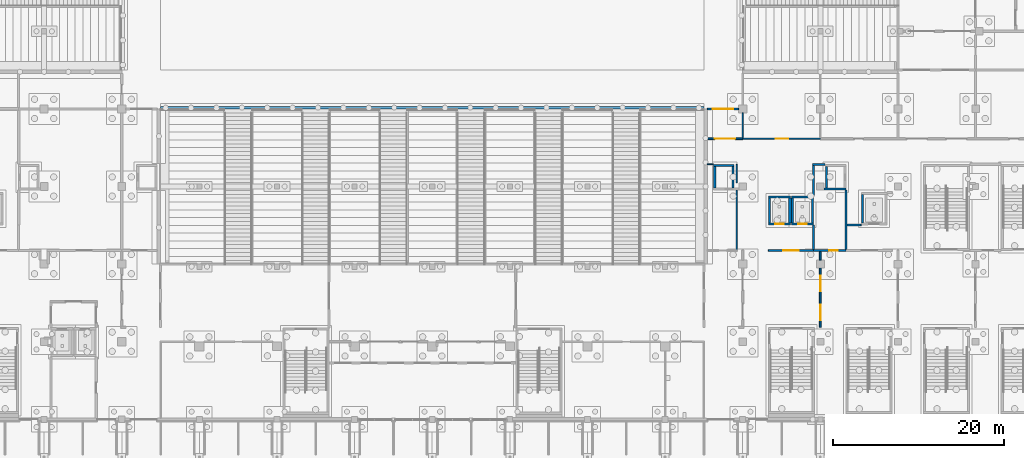
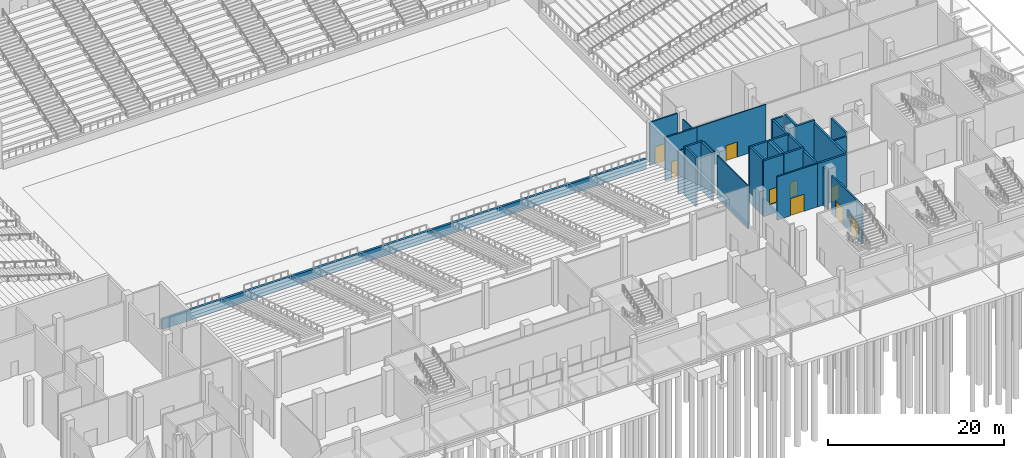
# One storey, part 74 of 129: 31 walls, 9 doors, 9 openings.
"""IFC4 building model written with IfcOpenShell, lengths in metres."""

from ifc_helpers import new_model, si_unit, direction, frame, frame_2d, origin, place, context, subcontext, project, spatial, rectangle, extrude, material, layer, layer_set, type_object, element, fill, save


model = new_model("IFC4")

# Units and contexts
model_context = context("Model", 3, precision=1e-05, world=origin(), true_north=direction((0.0, 1.0)))
body_context = subcontext(model_context, "Body", "Model", "MODEL_VIEW")
ifc_project = project(units=[si_unit("LENGTHUNIT", "METRE"), si_unit("AREAUNIT", "SQUARE_METRE"), si_unit("VOLUMEUNIT", "CUBIC_METRE"), si_unit("PLANEANGLEUNIT", "RADIAN"), si_unit("MASSUNIT", "GRAM", prefix="KILO")], contexts=[model_context])

# Site, building, storey
site_placement = place(None, origin())
site = spatial("IfcSite", under=ifc_project, at=site_placement, CompositionType="ELEMENT")
building_placement = place(site_placement, origin())
building = spatial("IfcBuilding", under=site, at=building_placement, Name="Shirokan Park Arena", CompositionType="ELEMENT")
storey_placement = place(building_placement, origin())
storey = spatial("IfcBuildingStorey", under=building, at=storey_placement, Name="L00", CompositionType="ELEMENT", Elevation=0.0)

# Wall
ifc_material_1 = material(Name="Plaster")
ifc_layer_1 = layer(ifc_material_1, 0.014892578125, Name="Plaster")
ifc_material_2 = material(Name="Concrete blockwork", Category="masonry")
ifc_layer_2 = layer(ifc_material_2, 0.219970703125, Name="Concrete blockwork 220")
ifc_layer_3 = layer(ifc_material_1, 0.014892578125, Name="Plaster")
ifc_layer_set_1 = layer_set([ifc_layer_1, ifc_layer_2, ifc_layer_3], Name="Plaster + Concrete blockwork 220")
wall_type_1 = type_object("IfcWallType", Name="Compartment wall 250", PredefinedType="SOLIDWALL", material=ifc_layer_set_1)
wall_1_placement = place(storey_placement, frame((117.375, 29.89990234375, 0.0), z_axis=(0.0, 0.0, 1.0), x_axis=(1.0, 0.0, 0.0)))
element("IfcWall", 1, at=wall_1_placement, inside=storey, type_object=wall_type_1, Name="Compartment wall 250 L00", PredefinedType="SOLIDWALL", context=body_context, shape_type="SweptSolid", body=[
    extrude(rectangle(XDim=1.4951171875, YDim=0.25, at=frame_2d((0.74755859375, 0.0))), origin(), (0.0, 0.0, 1.0), 6.02001953125),
])

# Wall, opening, door
wall_2_placement = place(storey_placement, frame((117.5, 19.800048828125, 0.0), z_axis=(0.0, 0.0, 1.0), x_axis=(1.0, 0.0, 0.0)))
wall_2 = element("IfcWall", 2, at=wall_2_placement, inside=storey, type_object=wall_type_1, Name="Compartment wall 250 L00", PredefinedType="SOLIDWALL", context=body_context, shape_type="SweptSolid", body=[
    extrude(rectangle(XDim=3.800048828125, YDim=0.25, at=frame_2d((1.89990234375, 0.0))), origin(), (0.0, 0.0, 1.0), 6.02001953125),
])
opening_1_placement = place(wall_2_placement, frame((1.85009765625, 0.0, 0.0)))
opening_1 = element("IfcOpeningElement", 3, at=opening_1_placement, cuts=wall_2, Name="Opening D-0008", PredefinedType="OPENING", context=body_context, shape_type="SweptSolid", body=[
    extrude(rectangle(XDim=1.0, YDim=2.10009765625, at=frame_2d((0.5, 1.050048828125))), frame((0.0, 0.135009765625, 0.0), z_axis=(0.0, -1.0, 0.0), x_axis=(1.0, 0.0, 0.0)), (0.0, 0.0, 1.0), 0.27001953125),
])
ifc_material_3 = material(Name="Timber door set, fire resisting", Category="wood")
door_type_1 = type_object("IfcDoorType", Name="Door 1000 x 2100", OperationType="SINGLE_SWING_LEFT", PredefinedType="DOOR", material=ifc_material_3)
door_1_placement = place(opening_1_placement, origin())
door_1 = element("IfcDoor", 4, at=door_1_placement, inside=storey, type_object=door_type_1, Name="Door to Kit Store 0.28 D-0008", OperationType="SINGLE_SWING_LEFT", OverallHeight=2.10009765625, OverallWidth=1.0, PredefinedType="DOOR", context=body_context, shape_type="SweptSolid", body=[
    extrude(rectangle(XDim=1.0, YDim=2.10009765625, at=frame_2d((0.5, 1.050048828125))), frame((0.0, 0.02490234375, 0.0), z_axis=(0.0, -1.0, 0.0), x_axis=(1.0, 0.0, 0.0)), (0.0, 0.0, 1.0), 0.050048828125),
])
fill(opening_1, door_1)

# Walls
wall_3_placement = place(storey_placement, frame((117.5, 19.925048828125, 0.0), z_axis=(0.0, 0.0, 1.0), x_axis=(0.0, 1.0, 0.0)))
element("IfcWall", 5, at=wall_3_placement, inside=storey, type_object=wall_type_1, Name="Compartment wall 250 L00", PredefinedType="SOLIDWALL", context=body_context, shape_type="SweptSolid", body=[
    extrude(rectangle(XDim=2.844970703125, YDim=0.25, at=frame_2d((1.42236328125, 0.0))), origin(), (0.0, 0.0, 1.0), 6.02001953125),
])
wall_4_placement = place(storey_placement, frame((117.5, 26.22998046875, 0.0), z_axis=(0.0, 0.0, 1.0), x_axis=(0.0, 1.0, 0.0)))
element("IfcWall", 6, at=wall_4_placement, inside=storey, type_object=wall_type_1, Name="Compartment wall 250 L00", PredefinedType="SOLIDWALL", context=body_context, shape_type="SweptSolid", body=[
    extrude(rectangle(XDim=3.544921875, YDim=0.25, at=frame_2d((1.7724609375, 0.0))), origin(), (0.0, 0.0, 1.0), 6.02001953125),
])
wall_5_placement = place(storey_placement, frame((121.300048828125, 19.925048828125, 0.0), z_axis=(0.0, 0.0, 1.0), x_axis=(0.0, 1.0, 0.0)))
element("IfcWall", 7, at=wall_5_placement, inside=storey, type_object=wall_type_1, Name="Compartment wall 250 L00", PredefinedType="SOLIDWALL", context=body_context, shape_type="SweptSolid", body=[
    extrude(rectangle(XDim=6.945068359375, YDim=0.25, at=frame_2d((3.47265625, 0.0))), origin(), (0.0, 0.0, 1.0), 6.02001953125),
])

# Wall, opening, door
ifc_material_4 = material(Name="Gypsum board")
ifc_layer_4 = layer(ifc_material_4, 0.02490234375, Name="Gypsum board, two layers")
ifc_material_5 = material(Name="Mineral wool insulation")
ifc_layer_5 = layer(ifc_material_5, 0.14990234375, Name="Mineral wool insulation")
ifc_layer_6 = layer(ifc_material_4, 0.02490234375, Name="Gypsum board, two layers")
ifc_layer_set_2 = layer_set([ifc_layer_4, ifc_layer_5, ifc_layer_6], Name="Gypsum board, two layers + Mineral wool insulation")
wall_type_2 = type_object("IfcWallType", Name="Corridor wall 200", PredefinedType="PARTITIONING", material=ifc_layer_set_2)
wall_6_placement = place(storey_placement, frame((105.050048828125, 32.89990234375, 0.0), z_axis=(0.0, 0.0, 1.0), x_axis=(1.0, 0.0, 0.0)))
wall_6 = element("IfcWall", 8, at=wall_6_placement, inside=storey, type_object=wall_type_2, Name="Corridor wall 200 L00", PredefinedType="PARTITIONING", context=body_context, shape_type="SweptSolid", body=[
    extrude(rectangle(XDim=4.14990234375, YDim=0.199951171875, at=frame_2d((2.074951171875, 0.0))), origin(), (0.0, 0.0, 1.0), 6.02001953125),
])
opening_2_placement = place(wall_6_placement, frame((0.85009765625, 0.0, 0.0)))
opening_2 = element("IfcOpeningElement", 9, at=opening_2_placement, cuts=wall_6, Name="Opening D-0053", PredefinedType="OPENING", context=body_context, shape_type="SweptSolid", body=[
    extrude(rectangle(XDim=2.39990234375, YDim=2.39990234375, at=frame_2d((1.199951171875, 1.199951171875))), frame((0.0, 0.10986328125, 0.0), z_axis=(0.0, -1.0, 0.0), x_axis=(1.0, 0.0, 0.0)), (0.0, 0.0, 1.0), 0.219970703125),
])
ifc_material_6 = material(Name="Steel door set, fire resisting", Category="steel")
door_type_2 = type_object("IfcDoorType", Name="Double door 2400 x 2400", OperationType="DOUBLE_DOOR_SINGLE_SWING", PredefinedType="DOOR", material=ifc_material_6)
door_2_placement = place(opening_2_placement, origin())
door_2 = element("IfcDoor", 10, at=door_2_placement, inside=storey, type_object=door_type_2, Name="Door between Service Corridor 2.0 and Team Corridor 2.0 D-0053", OperationType="DOUBLE_DOOR_SINGLE_SWING", OverallHeight=2.39990234375, OverallWidth=2.39990234375, PredefinedType="DOOR", context=body_context, shape_type="SweptSolid", body=[
    extrude(rectangle(XDim=2.39990234375, YDim=2.39990234375, at=frame_2d((1.199951171875, 1.199951171875))), frame((0.0, 0.02490234375, 0.0), z_axis=(0.0, -1.0, 0.0), x_axis=(1.0, 0.0, 0.0)), (0.0, 0.0, 1.0), 0.050048828125),
])
fill(opening_2, door_2)

wall_7_placement = place(storey_placement, frame((105.050048828125, 36.39990234375, 0.0), z_axis=(0.0, 0.0, 1.0), x_axis=(1.0, 0.0, 0.0)))
wall_7 = element("IfcWall", 11, at=wall_7_placement, inside=storey, type_object=wall_type_2, Name="Corridor wall 200 L00", PredefinedType="PARTITIONING", context=body_context, shape_type="SweptSolid", body=[
    extrude(rectangle(XDim=3.675048828125, YDim=0.199951171875, at=frame_2d((1.83740234375, 0.0))), origin(), (0.0, 0.0, 1.0), 6.02001953125),
])
opening_3_placement = place(wall_7_placement, frame((0.64990234375, 0.0, 0.0)))
opening_3 = element("IfcOpeningElement", 12, at=opening_3_placement, cuts=wall_7, Name="Opening D-0054", PredefinedType="OPENING", context=body_context, shape_type="SweptSolid", body=[
    extrude(rectangle(XDim=2.39990234375, YDim=2.39990234375, at=frame_2d((1.199951171875, 1.199951171875))), frame((0.0, 0.10986328125, 0.0), z_axis=(0.0, -1.0, 0.0), x_axis=(1.0, 0.0, 0.0)), (0.0, 0.0, 1.0), 0.219970703125),
])
door_3_placement = place(opening_3_placement, origin())
door_3 = element("IfcDoor", 13, at=door_3_placement, inside=storey, type_object=door_type_2, Name="Door between Floor Access Passage 2 and Team Corridor 2.0 D-0054", OperationType="DOUBLE_DOOR_SINGLE_SWING", OverallHeight=2.39990234375, OverallWidth=2.39990234375, PredefinedType="DOOR", context=body_context, shape_type="SweptSolid", body=[
    extrude(rectangle(XDim=2.39990234375, YDim=2.39990234375, at=frame_2d((1.199951171875, 1.199951171875))), frame((0.0, 0.02490234375, 0.0), z_axis=(0.0, -1.0, 0.0), x_axis=(1.0, 0.0, 0.0)), (0.0, 0.0, 1.0), 0.050048828125),
])
fill(opening_3, door_3)

wall_8_placement = place(storey_placement, frame((112.199951171875, 19.800048828125, 0.0), z_axis=(0.0, 0.0, 1.0), x_axis=(1.0, 0.0, 0.0)))
wall_8 = element("IfcWall", 14, at=wall_8_placement, inside=storey, type_object=wall_type_2, Name="Corridor wall 200 L00", PredefinedType="PARTITIONING", context=body_context, shape_type="SweptSolid", body=[
    extrude(rectangle(XDim=5.300048828125, YDim=0.199951171875, at=frame_2d((2.64990234375, 0.0))), origin(), (0.0, 0.0, 1.0), 6.02001953125),
])
opening_4_placement = place(wall_8_placement, frame((1.75, 0.0, 0.0)))
opening_4 = element("IfcOpeningElement", 15, at=opening_4_placement, cuts=wall_8, Name="Opening D-0064", PredefinedType="OPENING", context=body_context, shape_type="SweptSolid", body=[
    extrude(rectangle(XDim=1.800048828125, YDim=2.39990234375, at=frame_2d((0.89990234375, 1.199951171875))), frame((0.0, 0.10986328125, 0.0), z_axis=(0.0, -1.0, 0.0), x_axis=(1.0, 0.0, 0.0)), (0.0, 0.0, 1.0), 0.219970703125),
])
ifc_material_7 = material(Name="Glazed steel door set, fire resisting", Category="steel")
door_type_3 = type_object("IfcDoorType", Name="Lift lobby door 1800 x 2400", OperationType="DOUBLE_DOOR_SINGLE_SWING", PredefinedType="DOOR", material=ifc_material_7)
door_4_placement = place(opening_4_placement, origin())
door_4 = element("IfcDoor", 16, at=door_4_placement, inside=storey, type_object=door_type_3, Name="Door between Hospitality Reception 2.0.4 and Lift Lobby 2.0 D-0064", OperationType="DOUBLE_DOOR_SINGLE_SWING", OverallHeight=2.39990234375, OverallWidth=1.800048828125, PredefinedType="DOOR", context=body_context, shape_type="SweptSolid", body=[
    extrude(rectangle(XDim=1.800048828125, YDim=2.39990234375, at=frame_2d((0.89990234375, 1.199951171875))), frame((0.0, 0.02490234375, 0.0), z_axis=(0.0, -1.0, 0.0), x_axis=(1.0, 0.0, 0.0)), (0.0, 0.0, 1.0), 0.050048828125),
])
fill(opening_4, door_4)

# Wall, openings, doors
wall_9_placement = place(storey_placement, frame((118.300048828125, 10.800048828125, 0.0), z_axis=(0.0, 0.0, 1.0), x_axis=(0.0, 1.0, 0.0)))
wall_9 = element("IfcWall", 17, at=wall_9_placement, inside=storey, type_object=wall_type_2, Name="Corridor wall 200 L00", PredefinedType="PARTITIONING", context=body_context, shape_type="SweptSolid", body=[
    extrude(rectangle(XDim=6.925048828125, YDim=0.199951171875, at=frame_2d((3.46240234375, 0.0))), origin(), (0.0, 0.0, 1.0), 5.320068359375),
])
opening_5_placement = place(wall_9_placement, frame((0.85009765625, 0.0, 0.0)))
opening_5 = element("IfcOpeningElement", 18, at=opening_5_placement, cuts=wall_9, Name="Opening D-0059", PredefinedType="OPENING", context=body_context, shape_type="SweptSolid", body=[
    extrude(rectangle(XDim=1.800048828125, YDim=2.39990234375, at=frame_2d((0.89990234375, 1.199951171875))), frame((0.0, 0.10986328125, 0.0), z_axis=(0.0, -1.0, 0.0), x_axis=(1.0, 0.0, 0.0)), (0.0, 0.0, 1.0), 0.219970703125),
])
opening_6_placement = place(wall_9_placement, frame((4.25, 0.0, 0.0)))
opening_6 = element("IfcOpeningElement", 19, at=opening_6_placement, cuts=wall_9, Name="Opening D-0060", PredefinedType="OPENING", context=body_context, shape_type="SweptSolid", body=[
    extrude(rectangle(XDim=1.800048828125, YDim=2.39990234375, at=frame_2d((0.89990234375, 1.199951171875))), frame((0.0, 0.10986328125, 0.0), z_axis=(0.0, -1.0, 0.0), x_axis=(1.0, 0.0, 0.0)), (0.0, 0.0, 1.0), 0.219970703125),
])
door_5_placement = place(opening_5_placement, origin())
door_5 = element("IfcDoor", 20, at=door_5_placement, inside=storey, type_object=door_type_3, Name="Door between Equipment Lobby 2.0.3 and Hospitality Reception 2.0.4 D-0059", OperationType="DOUBLE_DOOR_SINGLE_SWING", OverallHeight=2.39990234375, OverallWidth=1.800048828125, PredefinedType="DOOR", context=body_context, shape_type="SweptSolid", body=[
    extrude(rectangle(XDim=1.800048828125, YDim=2.39990234375, at=frame_2d((0.89990234375, 1.199951171875))), frame((0.0, 0.02490234375, 0.0), z_axis=(0.0, -1.0, 0.0), x_axis=(1.0, 0.0, 0.0)), (0.0, 0.0, 1.0), 0.050048828125),
])
fill(opening_5, door_5)
door_6_placement = place(opening_6_placement, origin())
door_6 = element("IfcDoor", 21, at=door_6_placement, inside=storey, type_object=door_type_3, Name="Door between Equipment Lobby 2.0.3 and Hospitality Reception 2.0.4 D-0060", OperationType="DOUBLE_DOOR_SINGLE_SWING", OverallHeight=2.39990234375, OverallWidth=1.800048828125, PredefinedType="DOOR", context=body_context, shape_type="SweptSolid", body=[
    extrude(rectangle(XDim=1.800048828125, YDim=2.39990234375, at=frame_2d((0.89990234375, 1.199951171875))), frame((0.0, 0.02490234375, 0.0), z_axis=(0.0, -1.0, 0.0), x_axis=(1.0, 0.0, 0.0)), (0.0, 0.0, 1.0), 0.050048828125),
])
fill(opening_6, door_6)

# Walls
wall_10_placement = place(storey_placement, frame((118.300048828125, 18.675048828125, 0.0), z_axis=(0.0, 0.0, 1.0), x_axis=(0.0, 1.0, 0.0)))
element("IfcWall", 22, at=wall_10_placement, inside=storey, type_object=wall_type_2, Name="Corridor wall 200 L00", PredefinedType="PARTITIONING", context=body_context, shape_type="SweptSolid", body=[
    extrude(rectangle(XDim=1.0, YDim=0.199951171875, at=frame_2d((0.5, 0.0))), origin(), (0.0, 0.0, 1.0), 5.320068359375),
])
wall_11_placement = place(storey_placement, frame((121.425048828125, 22.800048828125, 0.0), z_axis=(0.0, 0.0, 1.0), x_axis=(1.0, 0.0, 0.0)))
element("IfcWall", 23, at=wall_11_placement, inside=storey, type_object=wall_type_2, Name="Corridor wall 200 L00", PredefinedType="PARTITIONING", context=body_context, shape_type="SweptSolid", body=[
    extrude(rectangle(XDim=1.64501953125, YDim=0.199951171875, at=frame_2d((0.822509765625, 0.0))), origin(), (0.0, 0.0, 1.0), 6.02001953125),
])
ifc_material_8 = material(Name="Ceramic tile")
ifc_layer_7 = layer(ifc_material_8, 0.010009765625, Name="Ceramic tile")
ifc_material_9 = material(Name="Render")
ifc_layer_8 = layer(ifc_material_9, 0.010009765625, Name="Render")
ifc_layer_9 = layer(ifc_material_2, 0.10009765625, Name="Concrete blockwork 100")
ifc_layer_10 = layer(ifc_material_9, 0.010009765625, Name="Render")
ifc_layer_11 = layer(ifc_material_8, 0.010009765625, Name="Ceramic tile")
ifc_layer_set_3 = layer_set([ifc_layer_7, ifc_layer_8, ifc_layer_9, ifc_layer_10, ifc_layer_11], Name="Ceramic tile + Render + Concrete blockwork 100")
wall_type_3 = type_object("IfcWallType", Name="Kitchen wall 140", PredefinedType="SOLIDWALL", material=ifc_layer_set_3)
wall_12_placement = place(storey_placement, frame((109.199951171875, 33.0, 0.0), z_axis=(0.0, 0.0, 1.0), x_axis=(0.0, 1.0, 0.0)))
element("IfcWall", 24, at=wall_12_placement, inside=storey, type_object=wall_type_3, Name="Kitchen wall 140 L00", PredefinedType="SOLIDWALL", context=body_context, shape_type="SweptSolid", body=[
    extrude(rectangle(XDim=2.925048828125, YDim=0.139892578125, at=frame_2d((1.46240234375, 0.0))), origin(), (0.0, 0.0, 1.0), 5.320068359375),
])

# Wall, opening, door
wall_13_placement = place(storey_placement, frame((118.300048828125, 32.89990234375, 0.0), z_axis=(0.0, 0.0, 1.0), x_axis=(-1.0, 0.0, 0.0)))
wall_13 = element("IfcWall", 25, at=wall_13_placement, inside=storey, type_object=wall_type_3, Name="Kitchen wall 140 L00", PredefinedType="SOLIDWALL", context=body_context, shape_type="SweptSolid", body=[
    extrude(rectangle(XDim=9.10009765625, YDim=0.139892578125, at=frame_2d((4.550048828125, 0.0))), origin(), (0.0, 0.0, 1.0), 6.02001953125),
])
opening_7_placement = place(wall_13_placement, frame((3.75, 0.0, 0.0)))
opening_7 = element("IfcOpeningElement", 26, at=opening_7_placement, cuts=wall_13, Name="Opening D-0012", PredefinedType="OPENING", context=body_context, shape_type="SweptSolid", body=[
    extrude(rectangle(XDim=1.5, YDim=2.10009765625, at=frame_2d((0.75, 1.050048828125))), frame((0.0, 0.079833984375, 0.0), z_axis=(0.0, -1.0, 0.0), x_axis=(1.0, 0.0, 0.0)), (0.0, 0.0, 1.0), 0.159912109375),
])
ifc_material_10 = material(Name="Stainless steel door set, fire resisting", Category="steel")
door_type_4 = type_object("IfcDoorType", Name="Kitchen door 1500 x 2100", OperationType="DOUBLE_DOOR_SINGLE_SWING", PredefinedType="DOOR", material=ifc_material_10)
door_7_placement = place(opening_7_placement, origin())
door_7 = element("IfcDoor", 27, at=door_7_placement, inside=storey, type_object=door_type_4, Name="Door to Catering Kitchen 0.23 D-0012", OperationType="DOUBLE_DOOR_SINGLE_SWING", OverallHeight=2.10009765625, OverallWidth=1.5, PredefinedType="DOOR", context=body_context, shape_type="SweptSolid", body=[
    extrude(rectangle(XDim=1.5, YDim=2.10009765625, at=frame_2d((0.75, 1.050048828125))), frame((0.0, 0.02490234375, 0.0), z_axis=(0.0, -1.0, 0.0), x_axis=(1.0, 0.0, 0.0)), (0.0, 0.0, 1.0), 0.050048828125),
])
fill(opening_7, door_7)

# Wall
ifc_material_11 = material(Name="Concrete C35", Category="concrete")
ifc_layer_12 = layer(ifc_material_11, 0.300048828125)
ifc_layer_set_4 = layer_set([ifc_layer_12], Name="Concrete C35 300 mm")
wall_type_4 = type_object("IfcWallType", Name="RC front wall 300", PredefinedType="SOLIDWALL", material=ifc_layer_set_4)
wall_14_placement = place(storey_placement, frame((40.949951171875, 36.550048828125, -0.39990234375), z_axis=(0.0, 0.0, 1.0), x_axis=(1.0, 0.0, 0.0)))
element("IfcWall", 28, at=wall_14_placement, inside=storey, type_object=wall_type_4, Name="Front wall S", PredefinedType="SOLIDWALL", context=body_context, shape_type="SweptSolid", body=[
    extrude(rectangle(XDim=63.699951171875, YDim=0.300048828125, at=frame_2d((31.85009765625, 0.0))), origin(), (0.0, 0.0, 1.0), 1.449951171875),
])

# Wall, opening, door
ifc_material_12 = material(Name="Concrete C40/50", Category="concrete")
ifc_layer_13 = layer(ifc_material_12, 0.25)
ifc_layer_set_5 = layer_set([ifc_layer_13], Name="Concrete C40/50 250 mm")
wall_type_5 = type_object("IfcWallType", Name="RC shear wall 250", PredefinedType="SHEAR", material=ifc_layer_set_5)
wall_15_placement = place(storey_placement, frame((117.5, 22.925048828125, -1.39990234375), z_axis=(0.0, 0.0, 1.0), x_axis=(-1.0, 0.0, 0.0)))
wall_15 = element("IfcWall", 29, at=wall_15_placement, inside=storey, type_object=wall_type_5, Name="Shaft wall Passenger Lift 2.1 S L00", PredefinedType="SHEAR", context=body_context, shape_type="SweptSolid", body=[
    extrude(rectangle(XDim=2.60009765625, YDim=0.25, at=frame_2d((1.300048828125, 0.0))), origin(), (0.0, 0.0, 1.0), 7.77001953125),
])
opening_8_placement = place(wall_15_placement, frame((0.800048828125, 0.0, 1.39990234375)))
opening_8 = element("IfcOpeningElement", 30, at=opening_8_placement, cuts=wall_15, Name="Opening LD13", PredefinedType="OPENING", context=body_context, shape_type="SweptSolid", body=[
    extrude(rectangle(XDim=1.0, YDim=2.10009765625, at=frame_2d((0.5, 1.050048828125))), frame((0.0, 0.135009765625, 0.0), z_axis=(0.0, -1.0, 0.0), x_axis=(1.0, 0.0, 0.0)), (0.0, 0.0, 1.0), 0.27001953125),
])
ifc_material_13 = material(Name="Stainless steel", Category="steel")
door_type_5 = type_object("IfcDoorType", Name="Lift landing door 1000x2100", OperationType="DOUBLE_DOOR_SLIDING", PredefinedType="DOOR", material=ifc_material_13)
door_8_placement = place(opening_8_placement, origin())
door_8 = element("IfcDoor", 31, at=door_8_placement, inside=storey, type_object=door_type_5, Name="Lift landing door Passenger Lift 2.1 L00", OperationType="DOUBLE_DOOR_SLIDING", OverallHeight=2.10009765625, OverallWidth=1.0, PredefinedType="DOOR", context=body_context, shape_type="SweptSolid", body=[
    extrude(rectangle(XDim=1.0, YDim=2.10009765625, at=frame_2d((0.5, 1.050048828125))), frame((0.0, 0.02490234375, 0.0), z_axis=(0.0, -1.0, 0.0), x_axis=(1.0, 0.0, 0.0)), (0.0, 0.0, 1.0), 0.050048828125),
])
fill(opening_8, door_8)

# Walls
wall_16_placement = place(storey_placement, frame((117.5, 26.074951171875, -1.39990234375), z_axis=(0.0, 0.0, 1.0), x_axis=(-1.0, 0.0, 0.0)))
element("IfcWall", 32, at=wall_16_placement, inside=storey, type_object=wall_type_5, Name="Shaft wall Passenger Lift 2.1 N L00", PredefinedType="SHEAR", context=body_context, shape_type="SweptSolid", body=[
    extrude(rectangle(XDim=2.60009765625, YDim=0.25, at=frame_2d((1.300048828125, 0.0))), origin(), (0.0, 0.0, 1.0), 7.77001953125),
])
for number, where, z_axis, x_axis, name in (
    (33, (115.02490234375, 25.949951171875, -1.39990234375), (0.0, 0.0, 1.0), (0.0, -1.0, 0.0), "Shaft wall Passenger Lift 2.1 W L00"),
    (34, (117.375, 25.949951171875, -1.39990234375), (0.0, 0.0, 1.0), (0.0, -1.0, 0.0), "Shaft wall Passenger Lift 2.1 E L00"),
):
    element("IfcWall", number, at=place(storey_placement, frame(where, z_axis=z_axis, x_axis=x_axis)), inside=storey, type_object=wall_type_5, Name=name, PredefinedType="SHEAR", context=body_context, shape_type="SweptSolid", body=[
        extrude(rectangle(XDim=2.89990234375, YDim=0.25, at=frame_2d((1.449951171875, 0.0))), origin(), (0.0, 0.0, 1.0), 7.77001953125),
    ])

# Wall, opening, door
wall_17_placement = place(storey_placement, frame((114.800048828125, 22.925048828125, -1.39990234375), z_axis=(0.0, 0.0, 1.0), x_axis=(-1.0, 0.0, 0.0)))
wall_17 = element("IfcWall", 35, at=wall_17_placement, inside=storey, type_object=wall_type_5, Name="Shaft wall Passenger Lift 2.2 S L00", PredefinedType="SHEAR", context=body_context, shape_type="SweptSolid", body=[
    extrude(rectangle(XDim=2.60009765625, YDim=0.25, at=frame_2d((1.300048828125, 0.0))), origin(), (0.0, 0.0, 1.0), 7.77001953125),
])
opening_9_placement = place(wall_17_placement, frame((0.800048828125, 0.0, 1.39990234375)))
opening_9 = element("IfcOpeningElement", 36, at=opening_9_placement, cuts=wall_17, Name="Opening LD19", PredefinedType="OPENING", context=body_context, shape_type="SweptSolid", body=[
    extrude(rectangle(XDim=1.0, YDim=2.10009765625, at=frame_2d((0.5, 1.050048828125))), frame((0.0, 0.135009765625, 0.0), z_axis=(0.0, -1.0, 0.0), x_axis=(1.0, 0.0, 0.0)), (0.0, 0.0, 1.0), 0.27001953125),
])
door_9_placement = place(opening_9_placement, origin())
door_9 = element("IfcDoor", 37, at=door_9_placement, inside=storey, type_object=door_type_5, Name="Lift landing door Passenger Lift 2.2 L00", OperationType="DOUBLE_DOOR_SLIDING", OverallHeight=2.10009765625, OverallWidth=1.0, PredefinedType="DOOR", context=body_context, shape_type="SweptSolid", body=[
    extrude(rectangle(XDim=1.0, YDim=2.10009765625, at=frame_2d((0.5, 1.050048828125))), frame((0.0, 0.02490234375, 0.0), z_axis=(0.0, -1.0, 0.0), x_axis=(1.0, 0.0, 0.0)), (0.0, 0.0, 1.0), 0.050048828125),
])
fill(opening_9, door_9)

# Walls
wall_18_placement = place(storey_placement, frame((114.800048828125, 26.074951171875, -1.39990234375), z_axis=(0.0, 0.0, 1.0), x_axis=(-1.0, 0.0, 0.0)))
element("IfcWall", 38, at=wall_18_placement, inside=storey, type_object=wall_type_5, Name="Shaft wall Passenger Lift 2.2 N L00", PredefinedType="SHEAR", context=body_context, shape_type="SweptSolid", body=[
    extrude(rectangle(XDim=2.60009765625, YDim=0.25, at=frame_2d((1.300048828125, 0.0))), origin(), (0.0, 0.0, 1.0), 7.77001953125),
])
wall_19_placement = place(storey_placement, frame((112.324951171875, 25.949951171875, -1.39990234375), z_axis=(0.0, 0.0, 1.0), x_axis=(0.0, -1.0, 0.0)))
element("IfcWall", 39, at=wall_19_placement, inside=storey, type_object=wall_type_5, Name="Shaft wall Passenger Lift 2.2 W L00", PredefinedType="SHEAR", context=body_context, shape_type="SweptSolid", body=[
    extrude(rectangle(XDim=2.89990234375, YDim=0.25, at=frame_2d((1.449951171875, 0.0))), origin(), (0.0, 0.0, 1.0), 7.77001953125),
])
wall_20_placement = place(storey_placement, frame((108.199951171875, 29.77490234375, -0.39990234375), z_axis=(0.0, 0.0, 1.0), x_axis=(-1.0, 0.0, 0.0)))
element("IfcWall", 40, at=wall_20_placement, inside=storey, type_object=wall_type_5, Name="Shaft wall Services Riser 2.1 N L00", PredefinedType="SHEAR", context=body_context, shape_type="SweptSolid", body=[
    extrude(rectangle(XDim=2.39990234375, YDim=0.25, at=frame_2d((1.199951171875, 0.0))), origin(), (0.0, 0.0, 1.0), 6.77001953125),
])
for number, where, z_axis, x_axis, name in (
    (41, (105.925048828125, 29.64990234375, -0.39990234375), (0.0, 0.0, 1.0), (0.0, -1.0, 0.0), "Shaft wall Services Riser 2.1 W L00"),
    (42, (108.074951171875, 29.64990234375, -0.39990234375), (0.0, 0.0, 1.0), (0.0, -1.0, 0.0), "Shaft wall Services Riser 2.1 E L00"),
):
    element("IfcWall", number, at=place(storey_placement, frame(where, z_axis=z_axis, x_axis=x_axis)), inside=storey, type_object=wall_type_5, Name=name, PredefinedType="SHEAR", context=body_context, shape_type="SweptSolid", body=[
        extrude(rectangle(XDim=2.5, YDim=0.25, at=frame_2d((1.25, 0.0))), origin(), (0.0, 0.0, 1.0), 6.77001953125),
    ])
wall_21_placement = place(storey_placement, frame((121.300048828125, 27.02490234375, -0.39990234375), z_axis=(0.0, 0.0, 1.0), x_axis=(-1.0, 0.0, 0.0)))
element("IfcWall", 43, at=wall_21_placement, inside=storey, type_object=wall_type_5, Name="Shaft wall Services Riser 2.2 S L00", PredefinedType="SHEAR", context=body_context, shape_type="SweptSolid", body=[
    extrude(rectangle(XDim=2.574951171875, YDim=0.25, at=frame_2d((1.28759765625, 0.0))), origin(), (0.0, 0.0, 1.0), 6.77001953125),
])
wall_22_placement = place(storey_placement, frame((119.02490234375, 29.64990234375, -0.39990234375), z_axis=(0.0, 0.0, 1.0), x_axis=(0.0, -1.0, 0.0)))
element("IfcWall", 44, at=wall_22_placement, inside=storey, type_object=wall_type_5, Name="Shaft wall Services Riser 2.2 W L00", PredefinedType="SHEAR", context=body_context, shape_type="SweptSolid", body=[
    extrude(rectangle(XDim=2.5, YDim=0.25, at=frame_2d((1.25, 0.0))), origin(), (0.0, 0.0, 1.0), 6.77001953125),
])
wall_23_placement = place(storey_placement, frame((123.22509765625, 26.35009765625, -1.39990234375), z_axis=(0.0, 0.0, 1.0), x_axis=(0.0, -1.0, 0.0)))
element("IfcWall", 45, at=wall_23_placement, inside=storey, type_object=wall_type_5, Name="Shaft wall Service Lift 2 W L00", PredefinedType="SHEAR", context=body_context, shape_type="SweptSolid", body=[
    extrude(rectangle(XDim=3.300048828125, YDim=0.25, at=frame_2d((1.64990234375, 0.0))), origin(), (0.0, 0.0, 1.0), 7.77001953125),
])
ifc_layer_14 = layer(ifc_material_12, 0.35009765625)
ifc_layer_set_6 = layer_set([ifc_layer_14], Name="Concrete C40/50 350 mm")
wall_type_6 = type_object("IfcWallType", Name="RC shear wall 350", PredefinedType="SHEAR", material=ifc_layer_set_6)
wall_24_placement = place(storey_placement, frame((114.72509765625, 25.949951171875, -1.39990234375), z_axis=(0.0, 0.0, 1.0), x_axis=(0.0, -1.0, 0.0)))
element("IfcWall", 46, at=wall_24_placement, inside=storey, type_object=wall_type_6, Name="Shaft wall Passenger Lift 2.2 E L00", PredefinedType="SHEAR", context=body_context, shape_type="SweptSolid", body=[
    extrude(rectangle(XDim=2.89990234375, YDim=0.35009765625, at=frame_2d((1.449951171875, 0.0))), origin(), (0.0, 0.0, 1.0), 7.77001953125),
])
ifc_layer_15 = layer(ifc_material_8, 0.010009765625, Name="Ceramic tile")
ifc_material_14 = material(Name="Cement board")
ifc_layer_16 = layer(ifc_material_14, 0.012451171875, Name="Cement board")
ifc_layer_17 = layer(ifc_material_5, 0.080078125, Name="Mineral wool insulation")
ifc_layer_18 = layer(ifc_material_14, 0.012451171875, Name="Cement board")
ifc_layer_19 = layer(ifc_material_8, 0.010009765625, Name="Ceramic tile")
ifc_layer_set_7 = layer_set([ifc_layer_15, ifc_layer_16, ifc_layer_17, ifc_layer_18, ifc_layer_19], Name="Ceramic tile + Cement board + Mineral wool insulation")
wall_type_7 = type_object("IfcWallType", Name="Wet-area wall 125", PredefinedType="PARTITIONING", material=ifc_layer_set_7)
wall_25_placement = place(storey_placement, frame((105.050048828125, 29.89990234375, 0.0), z_axis=(0.0, 0.0, 1.0), x_axis=(1.0, 0.0, 0.0)))
element("IfcWall", 47, at=wall_25_placement, inside=storey, type_object=wall_type_7, Name="Wet-area wall 125 L00", PredefinedType="PARTITIONING", context=body_context, shape_type="SweptSolid", body=[
    extrude(rectangle(XDim=0.719970703125, YDim=0.125, at=frame_2d((0.35986328125, 0.0))), origin(), (0.0, 0.0, 1.0), 6.02001953125),
])
wall_26_placement = place(storey_placement, frame((108.5, 19.862548828125, 0.0), z_axis=(0.0, 0.0, 1.0), x_axis=(0.0, 1.0, 0.0)))
element("IfcWall", 48, at=wall_26_placement, inside=storey, type_object=wall_type_7, Name="Wet-area wall 125 L00", PredefinedType="PARTITIONING", context=body_context, shape_type="SweptSolid", body=[
    extrude(rectangle(XDim=7.012451171875, YDim=0.125, at=frame_2d((3.50634765625, 0.0))), origin(), (0.0, 0.0, 1.0), 6.02001953125),
])
wall_27_placement = place(storey_placement, frame((108.5, 27.72509765625, 0.0), z_axis=(0.0, 0.0, 1.0), x_axis=(0.0, 1.0, 0.0)))
element("IfcWall", 49, at=wall_27_placement, inside=storey, type_object=wall_type_7, Name="Wet-area wall 125 L00", PredefinedType="PARTITIONING", context=body_context, shape_type="SweptSolid", body=[
    extrude(rectangle(XDim=2.1748046875, YDim=0.125, at=frame_2d((1.08740234375, 0.0))), origin(), (0.0, 0.0, 1.0), 6.02001953125),
])

save(model, "model.ifc")
